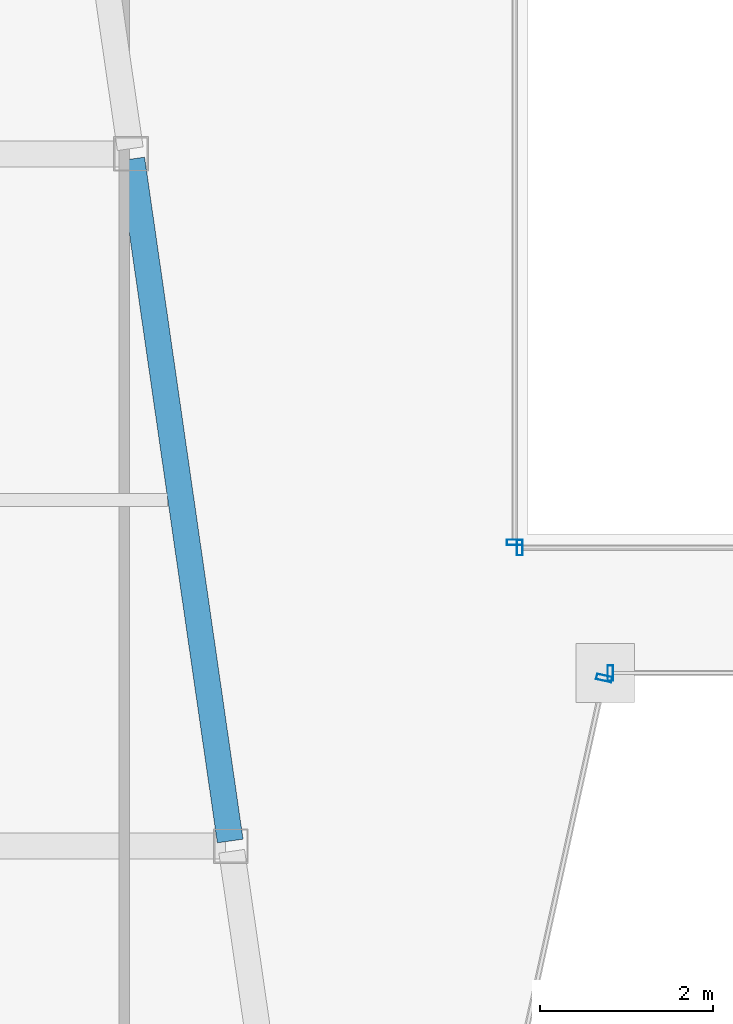
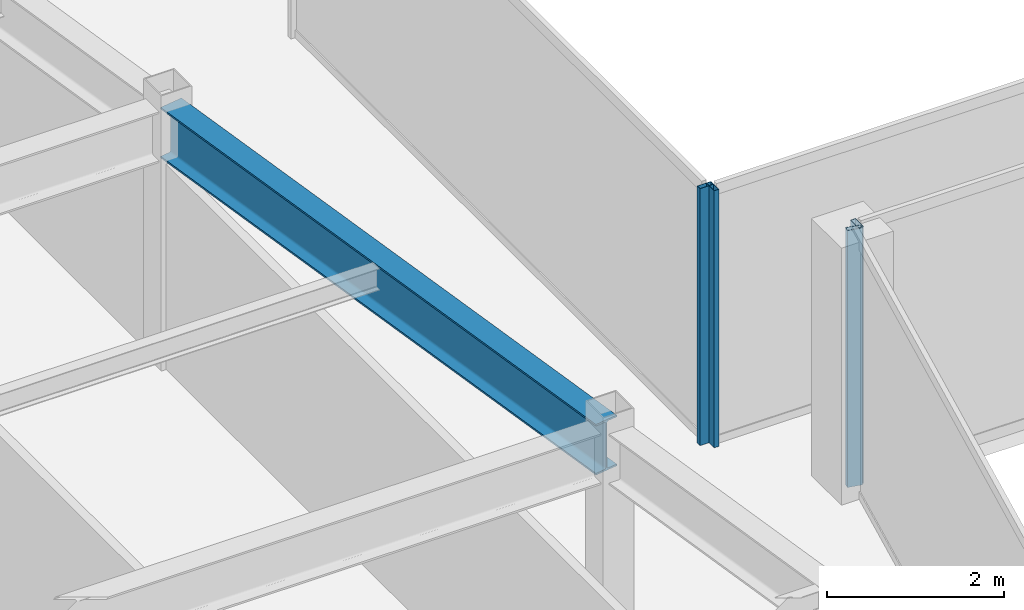
# One storey, part 7 of 35: 4 members, 1 beam, 4 elements without a shape of their own.
"""IFC4 building model written with IfcOpenShell, lengths in metres."""

from ifc_helpers import new_model, si_unit, direction, frame, origin, origin_2d, place, context, subcontext, project, spatial, hollow_rectangle, i_section, extrude, material, material_profile, profile_set, type_object, element, aggregate, save


model = new_model("IFC4")

# Units and contexts
model_context = context("Model", 3, precision=1e-05, world=origin(), true_north=direction((0.0, 1.0)))
body_context = subcontext(model_context, "Body", "Model", "MODEL_VIEW")
ifc_project = project(units=[si_unit("LENGTHUNIT", "METRE"), si_unit("AREAUNIT", "SQUARE_METRE"), si_unit("VOLUMEUNIT", "CUBIC_METRE"), si_unit("PLANEANGLEUNIT", "RADIAN"), si_unit("MASSUNIT", "GRAM", prefix="KILO")], contexts=[model_context])

# Site, building, storey
site_placement = place(None, origin())
site = spatial("IfcSite", under=ifc_project, at=site_placement, CompositionType="ELEMENT")
building_placement = place(site_placement, origin())
building = spatial("IfcBuilding", under=site, at=building_placement, Name="Saevonmaru Cultural Tower", CompositionType="ELEMENT")
storey_placement = place(building_placement, frame((0.0, 0.0, 190.39990234375)))
storey = spatial("IfcBuildingStorey", under=building, at=storey_placement, Name="L43", CompositionType="ELEMENT", Elevation=190.39990234375)

# Beam
ifc_material_1 = material(Name="Steel SM355", Category="steel")
ifc_material_profile_1 = material_profile(ifc_material_1, i_section(OverallWidth=0.300048828125, OverallDepth=0.699951171875, WebThickness=0.012939453125, FlangeThickness=0.02392578125, FilletRadius=0.02587890625, at=origin_2d()), Name="H-700x300x13x24")
ifc_profile_set_1 = profile_set([ifc_material_profile_1], Name="Steel SM355")
beam_type = type_object("IfcBeamType", Name="BM-G-H700", PredefinedType="BEAM", material=ifc_profile_set_1)
beam_placement = place(storey_placement, frame((20.763427734375, 24.059326171875, 3.2001953125), z_axis=(-0.142902032203, 0.989736838353, 0.0), x_axis=(-0.989736838353, -0.142902032203, 0.0)))
element("IfcBeam", 1, at=beam_placement, inside=storey, type_object=beam_type, Name="L43 West Atrium Girder 2", PredefinedType="BEAM", context=body_context, shape_type="SweptSolid", body=[
    extrude(i_section(OverallWidth=0.300048828125, OverallDepth=0.699951171875, WebThickness=0.012939453125, FlangeThickness=0.02392578125, FilletRadius=0.02587890625, at=origin_2d()), origin(), (0.0, 0.0, 1.0), 7.963134765625),
])

# Curtain wall, member
ifc_material_2 = material(Name="Satin Bronze Anodised Aluminium", Category="aluminium")
curtain_wall_type_1 = type_object("IfcCurtainWallType", Name="CW-TYP-B", PredefinedType="NOTDEFINED", material=ifc_material_2)
curtain_wall_1_placement = place(storey_placement, origin())
curtain_wall_1 = element("IfcCurtainWall", 2, at=curtain_wall_1_placement, inside=storey, type_object=curtain_wall_type_1, Name="L43 Unitised Curtain Wall E3", PredefinedType="NOTDEFINED")
ifc_material_profile_2 = material_profile(ifc_material_2, hollow_rectangle(XDim=0.06494140625, YDim=0.179931640625, WallThickness=0.00390625, at=origin_2d()), Name="ALU-MULL-180x65x4")
ifc_profile_set_2 = profile_set([ifc_material_profile_2], Name="Satin Bronze Anodised Aluminium")
member_type_1 = type_object("IfcMemberType", Name="ML-CW-180x65", PredefinedType="MULLION", material=ifc_profile_set_2)
member_1_placement = place(storey_placement, frame((25.0849609375, 25.94140625, 0.0), z_axis=(0.0, 0.0, 1.0), x_axis=(0.215413319953, 0.976522965212, 0.0)))
member_1 = element("IfcMember", 3, at=member_1_placement, type_object=member_type_1, Name="CW-TW-L43-E3 mullion 2", PredefinedType="MULLION", context=body_context, shape_type="SweptSolid", body=[
    extrude(hollow_rectangle(XDim=0.06494140625, YDim=0.179931640625, WallThickness=0.00390625, at=origin_2d()), origin(), (0.0, 0.0, 1.0), 3.550048828125),
])
aggregate(curtain_wall_1, [member_1])

curtain_wall_2_placement = place(storey_placement, origin())
curtain_wall_2 = element("IfcCurtainWall", 4, at=curtain_wall_2_placement, inside=storey, type_object=curtain_wall_type_1, Name="L43 Unitised Curtain Wall E4", PredefinedType="NOTDEFINED")
member_2_placement = place(storey_placement, frame((25.15771484375, 26.0, 0.0), z_axis=(0.0, 0.0, 1.0), x_axis=(1.0, 0.0, 0.0)))
member_2 = element("IfcMember", 5, at=member_2_placement, type_object=member_type_1, Name="CW-TW-L43-E4 mullion 1", PredefinedType="MULLION", context=body_context, shape_type="SweptSolid", body=[
    extrude(hollow_rectangle(XDim=0.06494140625, YDim=0.179931640625, WallThickness=0.00390625, at=origin_2d()), origin(), (0.0, 0.0, 1.0), 3.550048828125),
])
aggregate(curtain_wall_2, [member_2])

curtain_wall_type_2 = type_object("IfcCurtainWallType", Name="CW-ATR-GLZ", PredefinedType="NOTDEFINED", material=ifc_material_2)
curtain_wall_3_placement = place(storey_placement, origin())
curtain_wall_3 = element("IfcCurtainWall", 6, at=curtain_wall_3_placement, inside=storey, type_object=curtain_wall_type_2, Name="L43 Vertical Atrium Glazed Smoke Screen 1", PredefinedType="NOTDEFINED")
ifc_material_profile_3 = material_profile(ifc_material_2, hollow_rectangle(XDim=0.06494140625, YDim=0.179931640625, WallThickness=0.00390625, at=origin_2d()), Name="ALU-MULL-180x65x4")
ifc_profile_set_3 = profile_set([ifc_material_profile_3], Name="Satin Bronze Anodised Aluminium")
member_type_2 = type_object("IfcMemberType", Name="ML-CW-INT-180x65", PredefinedType="MULLION", material=ifc_profile_set_3)
member_3_placement = place(storey_placement, frame((24.110107421875, 27.449951171875, 0.0), z_axis=(0.0, 0.0, 1.0), x_axis=(1.0, 0.0, 0.0)))
member_3 = element("IfcMember", 7, at=member_3_placement, type_object=member_type_2, Name="CW-ATR-L43-1 mullion 1", PredefinedType="MULLION", context=body_context, shape_type="SweptSolid", body=[
    extrude(hollow_rectangle(XDim=0.06494140625, YDim=0.179931640625, WallThickness=0.00390625, at=origin_2d()), origin(), (0.0, 0.0, 1.0), 3.550048828125),
])
aggregate(curtain_wall_3, [member_3])

curtain_wall_4_placement = place(storey_placement, origin())
curtain_wall_4 = element("IfcCurtainWall", 8, at=curtain_wall_4_placement, inside=storey, type_object=curtain_wall_type_2, Name="L43 Vertical Atrium Glazed Smoke Screen 4", PredefinedType="NOTDEFINED")
member_4_placement = place(storey_placement, frame((24.050048828125, 27.510009765625, 0.0), z_axis=(0.0, 0.0, 1.0), x_axis=(0.0, -1.0, 0.0)))
member_4 = element("IfcMember", 9, at=member_4_placement, type_object=member_type_2, Name="CW-ATR-L43-4 mullion 2", PredefinedType="MULLION", context=body_context, shape_type="SweptSolid", body=[
    extrude(hollow_rectangle(XDim=0.06494140625, YDim=0.179931640625, WallThickness=0.00390625, at=origin_2d()), origin(), (0.0, 0.0, 1.0), 3.550048828125),
])
aggregate(curtain_wall_4, [member_4])

save(model, "model.ifc")
